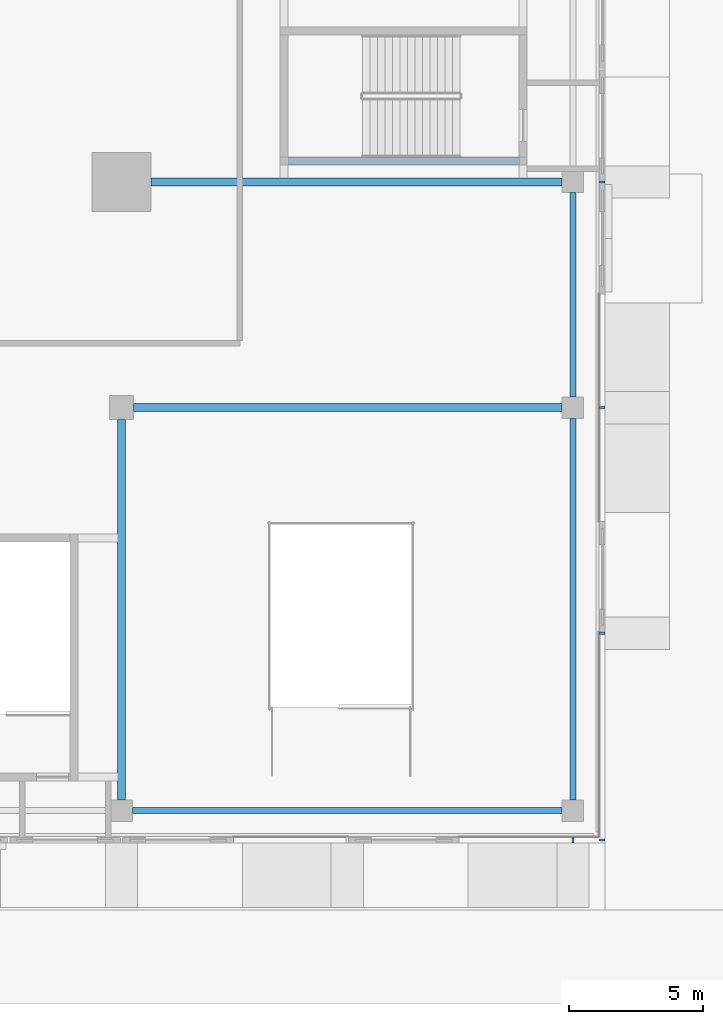
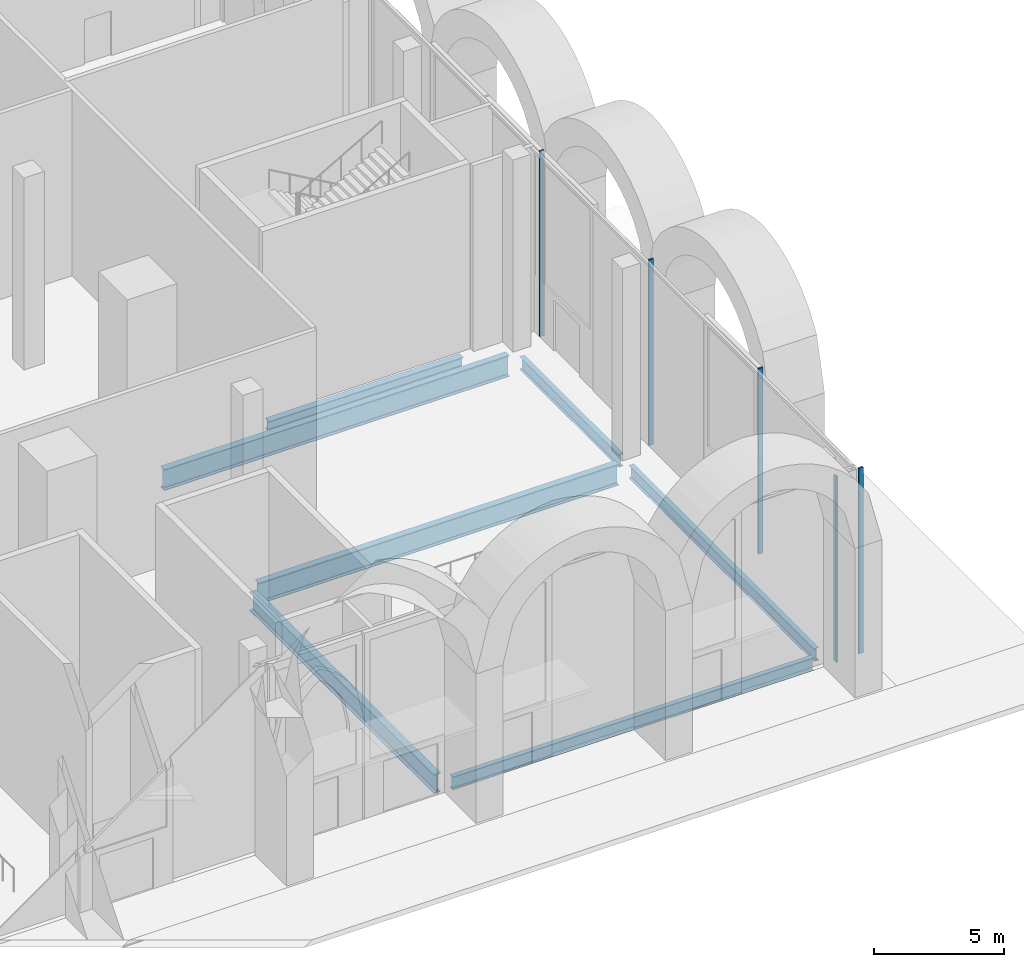
# One storey, part 9 of 43: 7 beams, 5 members, 2 elements without a shape of their own.
"""IFC4 building model written with IfcOpenShell, lengths in metres."""

from ifc_helpers import new_model, si_unit, direction, frame, origin, origin_2d, place, context, subcontext, project, spatial, rectangle, i_section, extrude, material, material_profile, profile_set, type_object, element, aggregate, save


model = new_model("IFC4")

# Units and contexts
model_context = context("Model", 3, precision=1e-05, world=origin(), true_north=direction((0.0, 1.0)))
body_context = subcontext(model_context, "Body", "Model", "MODEL_VIEW")
ifc_project = project(units=[si_unit("LENGTHUNIT", "METRE"), si_unit("AREAUNIT", "SQUARE_METRE"), si_unit("VOLUMEUNIT", "CUBIC_METRE"), si_unit("PLANEANGLEUNIT", "RADIAN"), si_unit("MASSUNIT", "GRAM", prefix="KILO")], contexts=[model_context])

# Site, building, storey
site_placement = place(None, origin())
site = spatial("IfcSite", under=ifc_project, at=site_placement, CompositionType="ELEMENT")
building_placement = place(site_placement, origin())
building = spatial("IfcBuilding", under=site, at=building_placement, Name="Saffron Gate Tower", CompositionType="ELEMENT")
storey_placement = place(building_placement, origin())
storey = spatial("IfcBuildingStorey", under=building, at=storey_placement, Name="L00", CompositionType="ELEMENT", Elevation=0.0)

# Beams
ifc_material_1 = material(Name="Structural steel S355", Category="steel")
ifc_material_profile_1 = material_profile(ifc_material_1, i_section(OverallWidth=0.219970703125, OverallDepth=0.60009765625, WebThickness=0.011962890625, FlangeThickness=0.01904296875, FilletRadius=0.02392578125, at=origin_2d()))
ifc_profile_set_1 = profile_set([ifc_material_profile_1], Name="Structural steel S355")
beam_type_1 = type_object("IfcBeamType", Name="B15 IPE 600", PredefinedType="BEAM", material=ifc_profile_set_1)
beam_1_placement = place(storey_placement, frame((125.800048828125, 16.800048828125, -0.60009765625), z_axis=(1.0, 0.0, 0.0), x_axis=(0.0, 1.0, 0.0)))
element("IfcBeam", 1, at=beam_1_placement, inside=storey, type_object=beam_type_1, Name="B15 PODIUM EDGE BEAM", PredefinedType="BEAM", context=body_context, shape_type="SweptSolid", body=[
    extrude(i_section(OverallWidth=0.219970703125, OverallDepth=0.60009765625, WebThickness=0.011962890625, FlangeThickness=0.01904296875, FilletRadius=0.02392578125, at=origin_2d()), origin(), (0.0, 0.0, 1.0), 16.0),
])
beam_2_placement = place(storey_placement, frame((142.199951171875, 17.199951171875, -0.60009765625), z_axis=(0.0, 1.0, 0.0), x_axis=(-1.0, 0.0, 0.0)))
element("IfcBeam", 2, at=beam_2_placement, inside=storey, type_object=beam_type_1, Name="B15 PODIUM EDGE BEAM", PredefinedType="BEAM", context=body_context, shape_type="SweptSolid", body=[
    extrude(i_section(OverallWidth=0.219970703125, OverallDepth=0.60009765625, WebThickness=0.011962890625, FlangeThickness=0.01904296875, FilletRadius=0.02392578125, at=origin_2d()), origin(), (0.0, 0.0, 1.0), 14.199951171875),
])
beam_3_placement = place(storey_placement, frame((142.199951171875, 32.199951171875, -0.60009765625), z_axis=(0.0, 1.0, 0.0), x_axis=(-1.0, 0.0, 0.0)))
element("IfcBeam", 3, at=beam_3_placement, inside=storey, type_object=beam_type_1, Name="B15 PODIUM EDGE BEAM", PredefinedType="BEAM", context=body_context, shape_type="SweptSolid", body=[
    extrude(i_section(OverallWidth=0.219970703125, OverallDepth=0.60009765625, WebThickness=0.011962890625, FlangeThickness=0.01904296875, FilletRadius=0.02392578125, at=origin_2d()), origin(), (0.0, 0.0, 1.0), 7.60009765625),
])
ifc_material_profile_2 = material_profile(ifc_material_1, i_section(OverallWidth=0.300048828125, OverallDepth=0.889892578125, WebThickness=0.01611328125, FlangeThickness=0.030029296875, FilletRadius=0.030029296875, at=origin_2d()))
ifc_profile_set_2 = profile_set([ifc_material_profile_2], Name="Structural steel S355")
beam_type_2 = type_object("IfcBeamType", Name="B19 HEA 900", PredefinedType="BEAM", material=ifc_profile_set_2)
beam_4_placement = place(storey_placement, frame((125.39990234375, 17.199951171875, -0.7451171875), z_axis=(0.0, 1.0, 0.0), x_axis=(-1.0, 0.0, 0.0)))
element("IfcBeam", 4, at=beam_4_placement, inside=storey, type_object=beam_type_2, Name="B19 PODIUM RING GIRDER", PredefinedType="BEAM", context=body_context, shape_type="SweptSolid", body=[
    extrude(i_section(OverallWidth=0.300048828125, OverallDepth=0.889892578125, WebThickness=0.01611328125, FlangeThickness=0.030029296875, FilletRadius=0.030029296875, at=origin_2d()), origin(), (0.0, 0.0, 1.0), 14.150146484375),
])
ifc_material_profile_3 = material_profile(ifc_material_1, i_section(OverallWidth=0.300048828125, OverallDepth=0.989990234375, WebThickness=0.0166015625, FlangeThickness=0.031005859375, FilletRadius=0.030029296875, at=origin_2d()))
ifc_profile_set_3 = profile_set([ifc_material_profile_3], Name="Structural steel S355")
beam_type_3 = type_object("IfcBeamType", Name="B21 HEA 1000", PredefinedType="BEAM", material=ifc_profile_set_3)
beam_5_placement = place(storey_placement, frame((141.800048828125, 31.800048828125, -0.794921875), z_axis=(-1.0, 0.0, 0.0), x_axis=(0.0, -1.0, 0.0)))
element("IfcBeam", 5, at=beam_5_placement, inside=storey, type_object=beam_type_3, Name="B21 PODIUM RING GIRDER", PredefinedType="BEAM", context=body_context, shape_type="SweptSolid", body=[
    extrude(i_section(OverallWidth=0.300048828125, OverallDepth=0.989990234375, WebThickness=0.0166015625, FlangeThickness=0.031005859375, FilletRadius=0.030029296875, at=origin_2d()), origin(), (0.0, 0.0, 1.0), 15.949951171875),
])
beam_6_placement = place(storey_placement, frame((141.800048828125, 40.199951171875, -0.794921875), z_axis=(-1.0, 0.0, 0.0), x_axis=(0.0, -1.0, 0.0)))
element("IfcBeam", 6, at=beam_6_placement, inside=storey, type_object=beam_type_3, Name="B21 PODIUM RING GIRDER", PredefinedType="BEAM", context=body_context, shape_type="SweptSolid", body=[
    extrude(i_section(OverallWidth=0.300048828125, OverallDepth=0.989990234375, WebThickness=0.0166015625, FlangeThickness=0.031005859375, FilletRadius=0.030029296875, at=origin_2d()), origin(), (0.0, 0.0, 1.0), 15.300048828125),
])
ifc_material_profile_4 = material_profile(ifc_material_1, i_section(OverallWidth=0.300048828125, OverallDepth=0.5, WebThickness=0.014404296875, FlangeThickness=0.028076171875, FilletRadius=0.027099609375, at=origin_2d()))
ifc_profile_set_4 = profile_set([ifc_material_profile_4], Name="Structural steel S355")
beam_type_4 = type_object("IfcBeamType", Name="B9 HEB 500", PredefinedType="BEAM", material=ifc_profile_set_4)
beam_7_placement = place(storey_placement, frame((131.590087890625, 40.97509765625, -0.550048828125), z_axis=(1.0, 0.0, 0.0), x_axis=(0.0, 1.0, 0.0)))
element("IfcBeam", 7, at=beam_7_placement, inside=storey, type_object=beam_type_4, Name="B9 STAIR ENCLOSURE TRIMMER BEAM", PredefinedType="BEAM", context=body_context, shape_type="SweptSolid", body=[
    extrude(i_section(OverallWidth=0.300048828125, OverallDepth=0.5, WebThickness=0.014404296875, FlangeThickness=0.028076171875, FilletRadius=0.027099609375, at=origin_2d()), origin(), (0.0, 0.0, 1.0), 8.619873046875),
])

# Curtain wall, member
ifc_material_2 = material(Name="Aluminium, bronze anodised", Category="aluminium")
curtain_wall_type = type_object("IfcCurtainWallType", Name="CWS5 curtain wall podium ring base", PredefinedType="NOTDEFINED", material=ifc_material_2)
curtain_wall_1_placement = place(storey_placement, origin())
curtain_wall_1 = element("IfcCurtainWall", 8, at=curtain_wall_1_placement, inside=storey, type_object=curtain_wall_type, Name="CWS5 run 1", PredefinedType="NOTDEFINED")
ifc_material_profile_5 = material_profile(ifc_material_2, rectangle(XDim=0.199951171875, YDim=0.080078125, at=origin_2d()))
ifc_profile_set_5 = profile_set([ifc_material_profile_5], Name="Aluminium, bronze anodised")
member_type = type_object("IfcMemberType", Name="CWS5 mullion 80x200", PredefinedType="MULLION", material=ifc_profile_set_5)
member_1_placement = place(storey_placement, frame((142.199951171875, 15.699951171875, 0.0), z_axis=(0.0, 0.0, 1.0), x_axis=(0.0, 1.0, 0.0)))
member_1 = element("IfcMember", 9, at=member_1_placement, type_object=member_type, Name="CWS5 mullion 15", PredefinedType="MULLION", context=body_context, shape_type="SweptSolid", body=[
    extrude(rectangle(XDim=0.199951171875, YDim=0.080078125, at=origin_2d()), origin(), (0.0, 0.0, 1.0), 8.699951171875),
])
aggregate(curtain_wall_1, [member_1])

# Curtain wall, members
curtain_wall_2_placement = place(storey_placement, origin())
curtain_wall_2 = element("IfcCurtainWall", 10, at=curtain_wall_2_placement, inside=storey, type_object=curtain_wall_type, Name="CWS5 run 2", PredefinedType="NOTDEFINED")
member_2_placement = place(storey_placement, frame((143.300048828125, 15.699951171875, 0.0), z_axis=(0.0, 0.0, 1.0), x_axis=(-1.0, 0.0, 0.0)))
member_2 = element("IfcMember", 11, at=member_2_placement, type_object=member_type, Name="CWS5 mullion 1", PredefinedType="MULLION", context=body_context, shape_type="SweptSolid", body=[
    extrude(rectangle(XDim=0.199951171875, YDim=0.080078125, at=origin_2d()), origin(), (0.0, 0.0, 1.0), 8.699951171875),
])
member_3_placement = place(storey_placement, frame((143.300048828125, 23.39990234375, 0.0), z_axis=(0.0, 0.0, 1.0), x_axis=(-1.0, 0.0, 0.0)))
member_3 = element("IfcMember", 12, at=member_3_placement, type_object=member_type, Name="CWS5 mullion 2", PredefinedType="MULLION", context=body_context, shape_type="SweptSolid", body=[
    extrude(rectangle(XDim=0.199951171875, YDim=0.080078125, at=origin_2d()), origin(), (0.0, 0.0, 1.0), 8.699951171875),
])
member_4_placement = place(storey_placement, frame((143.300048828125, 31.800048828125, 0.0), z_axis=(0.0, 0.0, 1.0), x_axis=(-1.0, 0.0, 0.0)))
member_4 = element("IfcMember", 13, at=member_4_placement, type_object=member_type, Name="CWS5 mullion 3", PredefinedType="MULLION", context=body_context, shape_type="SweptSolid", body=[
    extrude(rectangle(XDim=0.199951171875, YDim=0.080078125, at=origin_2d()), origin(), (0.0, 0.0, 1.0), 8.699951171875),
])
member_5_placement = place(storey_placement, frame((143.300048828125, 40.199951171875, 0.0), z_axis=(0.0, 0.0, 1.0), x_axis=(-1.0, 0.0, 0.0)))
member_5 = element("IfcMember", 14, at=member_5_placement, type_object=member_type, Name="CWS5 mullion 4", PredefinedType="MULLION", context=body_context, shape_type="SweptSolid", body=[
    extrude(rectangle(XDim=0.199951171875, YDim=0.080078125, at=origin_2d()), origin(), (0.0, 0.0, 1.0), 8.699951171875),
])
aggregate(curtain_wall_2, [member_2, member_3, member_4, member_5])

save(model, "model.ifc")
